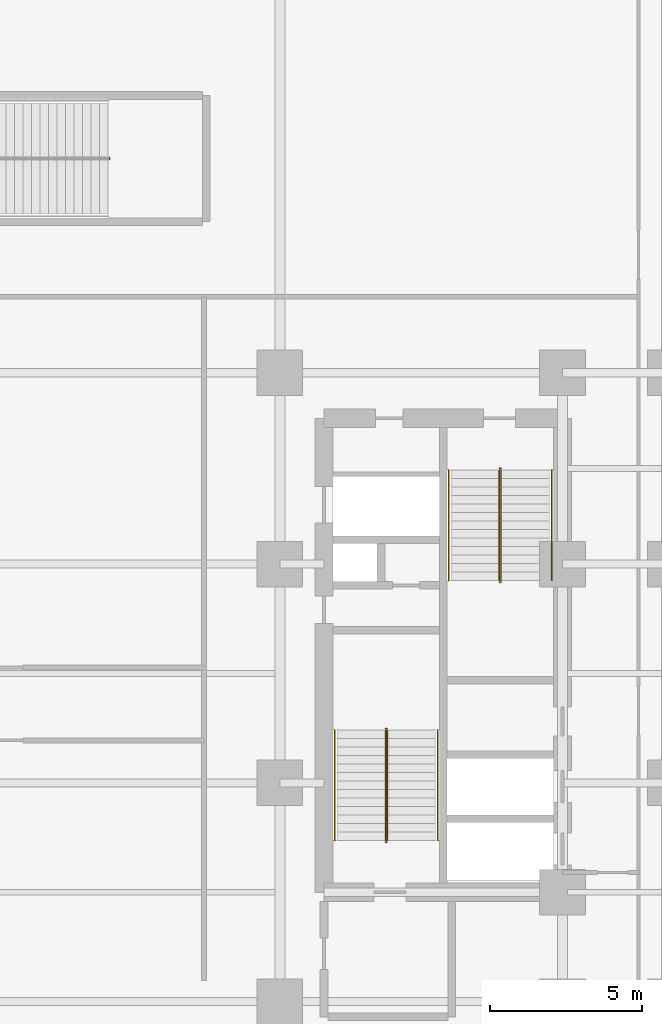
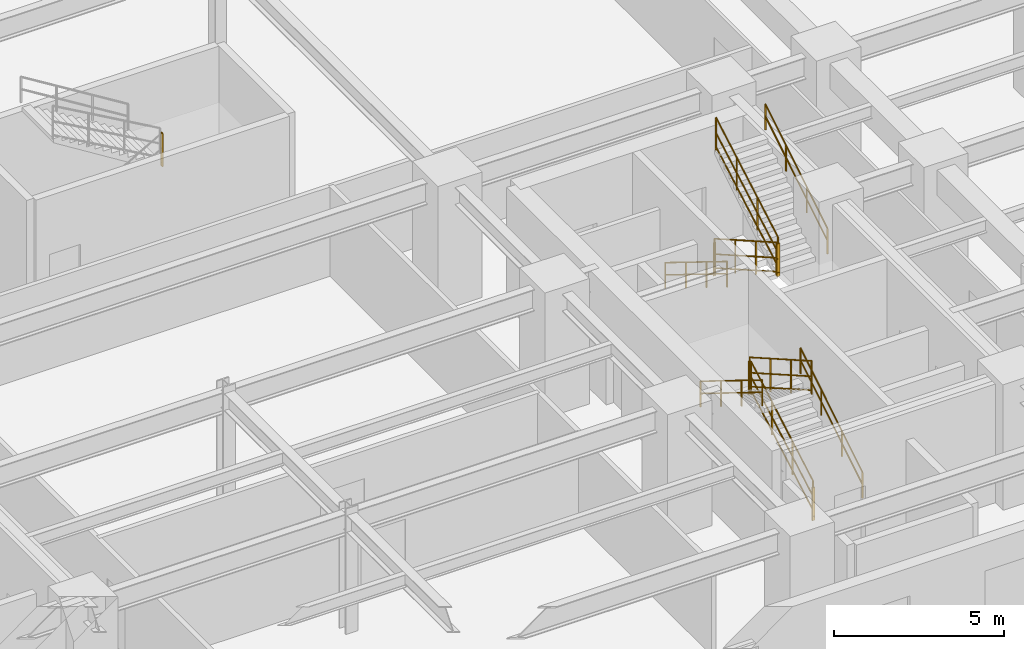
# One storey, part 14 of 15: 13 railings.
"""IFC4 building model written with IfcOpenShell, lengths in metres."""

from ifc_helpers import new_model, entity, si_unit, converted_unit, direction, frame, origin_with_axes, origin_2d_with_axis, place, context, subcontext, project, spatial, rectangle, circle, extrude, material, type_object, element, save


model = new_model("IFC4")

# Units and contexts
model_context = context("Model", 3, precision=1e-05, world=origin_with_axes(), true_north=direction((0.0, 1.0)))
body_context = subcontext(model_context, "Body", "Model", "MODEL_VIEW")
ifc_project = project(units=[si_unit("LENGTHUNIT", "METRE"), si_unit("AREAUNIT", "SQUARE_METRE"), si_unit("VOLUMEUNIT", "CUBIC_METRE"), converted_unit("PLANEANGLEUNIT", "DEGREE", entity("IfcPlaneAngleMeasure", 0.017453292519943295), si_unit("PLANEANGLEUNIT", "RADIAN"), dimensions=[0, 0, 0, 0, 0, 0, 0]), si_unit("MASSUNIT", "GRAM", prefix="KILO"), si_unit("THERMODYNAMICTEMPERATUREUNIT", "KELVIN")], contexts=[model_context])

# Site, building, storey
site_placement = place(None, origin_with_axes())
site = spatial("IfcSite", under=ifc_project, at=site_placement, CompositionType="ELEMENT")
building_placement = place(site_placement, origin_with_axes())
building = spatial("IfcBuilding", under=site, at=building_placement, Name="Varnlund Millrace Tower", CompositionType="ELEMENT")
storey_placement = place(building_placement, frame((0.0, 0.0, 15.3), z_axis=(0.0, 0.0, 1.0), x_axis=(1.0, 0.0, 0.0)))
storey = spatial("IfcBuildingStorey", under=building, at=storey_placement, Name="L03", CompositionType="ELEMENT", Elevation=15.3)

# Railings
ifc_material_1 = material(Name="Painted steel stair well balustrade guard", Category="steel")
railing_type_1 = type_object("IfcRailingType", Name="Type-StairGuard-1150", PredefinedType="GUARDRAIL", material=ifc_material_1)
railing_1_placement = place(storey_placement, frame((0.0, 0.0, -15.3), z_axis=(0.0, 0.0, 1.0), x_axis=(1.0, 0.0, 0.0)))
element("IfcRailing", 1, at=railing_1_placement, inside=storey, type_object=railing_type_1, Name="Type-StairGuard-1150", PredefinedType="GUARDRAIL", context=body_context, shape_type="SweptSolid", body=[
    extrude(circle(Radius=0.024, at=origin_2d_with_axis()), frame((42.275, 8.9, 16.623077), z_axis=(0.0, 0.868559, 0.495585), x_axis=(-1.0, 0.0, 0.0)), (0.0, 0.0, 1.0), 4.190848),
    extrude(circle(Radius=0.024, at=origin_2d_with_axis()), frame((42.275, 8.9, 15.573077), z_axis=(0.0, 0.868559, 0.495585), x_axis=(-1.0, 0.0, 0.0)), (0.0, 0.0, 1.0), 4.190848),
    extrude(circle(Radius=0.024, at=origin_2d_with_axis()), frame((42.275, 8.9, 16.071077), z_axis=(0.0, 0.868559, 0.495585), x_axis=(-1.0, 0.0, 0.0)), (0.0, 0.0, 1.0), 4.190848),
    extrude(rectangle(XDim=0.04, YDim=0.04, at=origin_2d_with_axis()), frame((42.275, 8.9, 15.433077), z_axis=(0.0, 0.0, 1.0), x_axis=(1.0, 0.0, 0.0)), (0.0, 0.0, 1.0), 1.19),
    extrude(rectangle(XDim=0.04, YDim=0.04, at=origin_2d_with_axis()), frame((42.275, 10.113333, 16.125385), z_axis=(0.0, 0.0, 1.0), x_axis=(1.0, 0.0, 0.0)), (0.0, 0.0, 1.0), 1.19),
    extrude(rectangle(XDim=0.04, YDim=0.04, at=origin_2d_with_axis()), frame((42.275, 11.326667, 16.817692), z_axis=(0.0, 0.0, 1.0), x_axis=(1.0, 0.0, 0.0)), (0.0, 0.0, 1.0), 1.19),
    extrude(rectangle(XDim=0.04, YDim=0.04, at=origin_2d_with_axis()), frame((42.275, 12.54, 17.51), z_axis=(0.0, 0.0, 1.0), x_axis=(1.0, 0.0, 0.0)), (0.0, 0.0, 1.0), 1.19),
])
railing_2_placement = place(storey_placement, frame((0.0, 0.0, -15.3), z_axis=(0.0, 0.0, 1.0), x_axis=(1.0, 0.0, 0.0)))
element("IfcRailing", 2, at=railing_2_placement, inside=storey, type_object=railing_type_1, Name="Type-StairGuard-1150", PredefinedType="GUARDRAIL", context=body_context, shape_type="SweptSolid", body=[
    extrude(circle(Radius=0.024, at=origin_2d_with_axis()), frame((42.225, 12.59, 18.7), z_axis=(1.0, 0.0, 0.0), x_axis=(0.0, 1.0, 0.0)), (0.0, 0.0, 1.0), 0.05),
    extrude(circle(Radius=0.024, at=origin_2d_with_axis()), frame((42.225, 12.59, 17.65), z_axis=(1.0, 0.0, 0.0), x_axis=(0.0, 1.0, 0.0)), (0.0, 0.0, 1.0), 0.05),
    extrude(circle(Radius=0.024, at=origin_2d_with_axis()), frame((42.225, 12.59, 18.148), z_axis=(1.0, 0.0, 0.0), x_axis=(0.0, 1.0, 0.0)), (0.0, 0.0, 1.0), 0.05),
    extrude(rectangle(XDim=0.04, YDim=0.04, at=origin_2d_with_axis()), frame((42.225, 12.59, 17.51), z_axis=(0.0, 0.0, 1.0), x_axis=(1.0, 0.0, 0.0)), (0.0, 0.0, 1.0), 1.19),
    extrude(rectangle(XDim=0.04, YDim=0.04, at=origin_2d_with_axis()), frame((42.275, 12.59, 17.51), z_axis=(0.0, 0.0, 1.0), x_axis=(1.0, 0.0, 0.0)), (0.0, 0.0, 1.0), 1.19),
])
railing_3_placement = place(storey_placement, frame((0.0, 0.0, -15.3), z_axis=(0.0, 0.0, 1.0), x_axis=(1.0, 0.0, 0.0)))
element("IfcRailing", 3, at=railing_3_placement, inside=storey, type_object=railing_type_1, Name="Type-StairGuard-1150", PredefinedType="GUARDRAIL", context=body_context, shape_type="SweptSolid", body=[
    extrude(circle(Radius=0.024, at=origin_2d_with_axis()), frame((42.225, 12.54, 18.873077), z_axis=(0.0, -0.868559, 0.495585), x_axis=(1.0, 0.0, 0.0)), (0.0, 0.0, 1.0), 4.190848),
    extrude(circle(Radius=0.024, at=origin_2d_with_axis()), frame((42.225, 12.54, 17.823077), z_axis=(0.0, -0.868559, 0.495585), x_axis=(1.0, 0.0, 0.0)), (0.0, 0.0, 1.0), 4.190848),
    extrude(circle(Radius=0.024, at=origin_2d_with_axis()), frame((42.225, 12.54, 18.321077), z_axis=(0.0, -0.868559, 0.495585), x_axis=(1.0, 0.0, 0.0)), (0.0, 0.0, 1.0), 4.190848),
    extrude(rectangle(XDim=0.04, YDim=0.04, at=origin_2d_with_axis()), frame((42.225, 12.54, 17.683077), z_axis=(0.0, 0.0, 1.0), x_axis=(1.0, 0.0, 0.0)), (0.0, 0.0, 1.0), 1.19),
    extrude(rectangle(XDim=0.04, YDim=0.04, at=origin_2d_with_axis()), frame((42.225, 11.326667, 18.375385), z_axis=(0.0, 0.0, 1.0), x_axis=(1.0, 0.0, 0.0)), (0.0, 0.0, 1.0), 1.19),
    extrude(rectangle(XDim=0.04, YDim=0.04, at=origin_2d_with_axis()), frame((42.225, 10.113333, 19.067692), z_axis=(0.0, 0.0, 1.0), x_axis=(1.0, 0.0, 0.0)), (0.0, 0.0, 1.0), 1.19),
    extrude(rectangle(XDim=0.04, YDim=0.04, at=origin_2d_with_axis()), frame((42.225, 8.9, 19.76), z_axis=(0.0, 0.0, 1.0), x_axis=(1.0, 0.0, 0.0)), (0.0, 0.0, 1.0), 1.19),
])
railing_4_placement = place(storey_placement, frame((0.0, 0.0, -15.3), z_axis=(0.0, 0.0, 1.0), x_axis=(1.0, 0.0, 0.0)))
element("IfcRailing", 4, at=railing_4_placement, inside=storey, type_object=railing_type_1, Name="Type-StairGuard-1150", PredefinedType="GUARDRAIL", context=body_context, shape_type="SweptSolid", body=[
    extrude(circle(Radius=0.024, at=origin_2d_with_axis()), frame((42.225, 8.85, 16.45), z_axis=(1.0, 0.0, 0.0), x_axis=(0.0, 1.0, 0.0)), (0.0, 0.0, 1.0), 0.05),
    extrude(circle(Radius=0.024, at=origin_2d_with_axis()), frame((42.225, 8.85, 15.4), z_axis=(1.0, 0.0, 0.0), x_axis=(0.0, 1.0, 0.0)), (0.0, 0.0, 1.0), 0.05),
    extrude(circle(Radius=0.024, at=origin_2d_with_axis()), frame((42.225, 8.85, 15.898), z_axis=(1.0, 0.0, 0.0), x_axis=(0.0, 1.0, 0.0)), (0.0, 0.0, 1.0), 0.05),
    extrude(rectangle(XDim=0.04, YDim=0.04, at=origin_2d_with_axis()), frame((42.225, 8.85, 15.26), z_axis=(0.0, 0.0, 1.0), x_axis=(1.0, 0.0, 0.0)), (0.0, 0.0, 1.0), 1.19),
    extrude(rectangle(XDim=0.04, YDim=0.04, at=origin_2d_with_axis()), frame((42.275, 8.85, 15.26), z_axis=(0.0, 0.0, 1.0), x_axis=(1.0, 0.0, 0.0)), (0.0, 0.0, 1.0), 1.19),
])
railing_5_placement = place(storey_placement, frame((0.0, 0.0, -15.3), z_axis=(0.0, 0.0, 1.0), x_axis=(1.0, 0.0, 0.0)))
element("IfcRailing", 5, at=railing_5_placement, inside=storey, type_object=railing_type_1, Name="Type-StairGuard-1150", PredefinedType="GUARDRAIL", context=body_context, shape_type="SweptSolid", body=[
    extrude(circle(Radius=0.024, at=origin_2d_with_axis()), frame((45.975, 21.1, 16.623077), z_axis=(0.0, -0.868559, 0.495585), x_axis=(1.0, 0.0, 0.0)), (0.0, 0.0, 1.0), 4.190848),
    extrude(circle(Radius=0.024, at=origin_2d_with_axis()), frame((45.975, 21.1, 15.573077), z_axis=(0.0, -0.868559, 0.495585), x_axis=(1.0, 0.0, 0.0)), (0.0, 0.0, 1.0), 4.190848),
    extrude(circle(Radius=0.024, at=origin_2d_with_axis()), frame((45.975, 21.1, 16.071077), z_axis=(0.0, -0.868559, 0.495585), x_axis=(1.0, 0.0, 0.0)), (0.0, 0.0, 1.0), 4.190848),
    extrude(rectangle(XDim=0.04, YDim=0.04, at=origin_2d_with_axis()), frame((45.975, 21.1, 15.433077), z_axis=(0.0, 0.0, 1.0), x_axis=(1.0, 0.0, 0.0)), (0.0, 0.0, 1.0), 1.19),
    extrude(rectangle(XDim=0.04, YDim=0.04, at=origin_2d_with_axis()), frame((45.975, 19.886667, 16.125385), z_axis=(0.0, 0.0, 1.0), x_axis=(1.0, 0.0, 0.0)), (0.0, 0.0, 1.0), 1.19),
    extrude(rectangle(XDim=0.04, YDim=0.04, at=origin_2d_with_axis()), frame((45.975, 18.673333, 16.817692), z_axis=(0.0, 0.0, 1.0), x_axis=(1.0, 0.0, 0.0)), (0.0, 0.0, 1.0), 1.19),
    extrude(rectangle(XDim=0.04, YDim=0.04, at=origin_2d_with_axis()), frame((45.975, 17.46, 17.51), z_axis=(0.0, 0.0, 1.0), x_axis=(1.0, 0.0, 0.0)), (0.0, 0.0, 1.0), 1.19),
])
railing_6_placement = place(storey_placement, frame((0.0, 0.0, -15.3), z_axis=(0.0, 0.0, 1.0), x_axis=(1.0, 0.0, 0.0)))
element("IfcRailing", 6, at=railing_6_placement, inside=storey, type_object=railing_type_1, Name="Type-StairGuard-1150", PredefinedType="GUARDRAIL", context=body_context, shape_type="SweptSolid", body=[
    extrude(circle(Radius=0.024, at=origin_2d_with_axis()), frame((46.025, 17.41, 18.7), z_axis=(-1.0, 0.0, 0.0), x_axis=(0.0, -1.0, 0.0)), (0.0, 0.0, 1.0), 0.05),
    extrude(circle(Radius=0.024, at=origin_2d_with_axis()), frame((46.025, 17.41, 17.65), z_axis=(-1.0, 0.0, 0.0), x_axis=(0.0, -1.0, 0.0)), (0.0, 0.0, 1.0), 0.05),
    extrude(circle(Radius=0.024, at=origin_2d_with_axis()), frame((46.025, 17.41, 18.148), z_axis=(-1.0, 0.0, 0.0), x_axis=(0.0, -1.0, 0.0)), (0.0, 0.0, 1.0), 0.05),
    extrude(rectangle(XDim=0.04, YDim=0.04, at=origin_2d_with_axis()), frame((46.025, 17.41, 17.51), z_axis=(0.0, 0.0, 1.0), x_axis=(1.0, 0.0, 0.0)), (0.0, 0.0, 1.0), 1.19),
    extrude(rectangle(XDim=0.04, YDim=0.04, at=origin_2d_with_axis()), frame((45.975, 17.41, 17.51), z_axis=(0.0, 0.0, 1.0), x_axis=(1.0, 0.0, 0.0)), (0.0, 0.0, 1.0), 1.19),
])
railing_7_placement = place(storey_placement, frame((0.0, 0.0, -15.3), z_axis=(0.0, 0.0, 1.0), x_axis=(1.0, 0.0, 0.0)))
element("IfcRailing", 7, at=railing_7_placement, inside=storey, type_object=railing_type_1, Name="Type-StairGuard-1150", PredefinedType="GUARDRAIL", context=body_context, shape_type="SweptSolid", body=[
    extrude(circle(Radius=0.024, at=origin_2d_with_axis()), frame((46.025, 17.46, 18.873077), z_axis=(0.0, 0.868559, 0.495585), x_axis=(-1.0, 0.0, 0.0)), (0.0, 0.0, 1.0), 4.190848),
    extrude(circle(Radius=0.024, at=origin_2d_with_axis()), frame((46.025, 17.46, 17.823077), z_axis=(0.0, 0.868559, 0.495585), x_axis=(-1.0, 0.0, 0.0)), (0.0, 0.0, 1.0), 4.190848),
    extrude(circle(Radius=0.024, at=origin_2d_with_axis()), frame((46.025, 17.46, 18.321077), z_axis=(0.0, 0.868559, 0.495585), x_axis=(-1.0, 0.0, 0.0)), (0.0, 0.0, 1.0), 4.190848),
    extrude(rectangle(XDim=0.04, YDim=0.04, at=origin_2d_with_axis()), frame((46.025, 17.46, 17.683077), z_axis=(0.0, 0.0, 1.0), x_axis=(1.0, 0.0, 0.0)), (0.0, 0.0, 1.0), 1.19),
    extrude(rectangle(XDim=0.04, YDim=0.04, at=origin_2d_with_axis()), frame((46.025, 18.673333, 18.375385), z_axis=(0.0, 0.0, 1.0), x_axis=(1.0, 0.0, 0.0)), (0.0, 0.0, 1.0), 1.19),
    extrude(rectangle(XDim=0.04, YDim=0.04, at=origin_2d_with_axis()), frame((46.025, 19.886667, 19.067692), z_axis=(0.0, 0.0, 1.0), x_axis=(1.0, 0.0, 0.0)), (0.0, 0.0, 1.0), 1.19),
    extrude(rectangle(XDim=0.04, YDim=0.04, at=origin_2d_with_axis()), frame((46.025, 21.1, 19.76), z_axis=(0.0, 0.0, 1.0), x_axis=(1.0, 0.0, 0.0)), (0.0, 0.0, 1.0), 1.19),
])
railing_8_placement = place(storey_placement, frame((0.0, 0.0, -15.3), z_axis=(0.0, 0.0, 1.0), x_axis=(1.0, 0.0, 0.0)))
element("IfcRailing", 8, at=railing_8_placement, inside=storey, type_object=railing_type_1, Name="Type-StairGuard-1150", PredefinedType="GUARDRAIL", context=body_context, shape_type="SweptSolid", body=[
    extrude(circle(Radius=0.024, at=origin_2d_with_axis()), frame((46.025, 21.15, 16.45), z_axis=(-1.0, 0.0, 0.0), x_axis=(0.0, -1.0, 0.0)), (0.0, 0.0, 1.0), 0.05),
    extrude(circle(Radius=0.024, at=origin_2d_with_axis()), frame((46.025, 21.15, 15.4), z_axis=(-1.0, 0.0, 0.0), x_axis=(0.0, -1.0, 0.0)), (0.0, 0.0, 1.0), 0.05),
    extrude(circle(Radius=0.024, at=origin_2d_with_axis()), frame((46.025, 21.15, 15.898), z_axis=(-1.0, 0.0, 0.0), x_axis=(0.0, -1.0, 0.0)), (0.0, 0.0, 1.0), 0.05),
    extrude(rectangle(XDim=0.04, YDim=0.04, at=origin_2d_with_axis()), frame((46.025, 21.15, 15.26), z_axis=(0.0, 0.0, 1.0), x_axis=(1.0, 0.0, 0.0)), (0.0, 0.0, 1.0), 1.19),
    extrude(rectangle(XDim=0.04, YDim=0.04, at=origin_2d_with_axis()), frame((45.975, 21.15, 15.26), z_axis=(0.0, 0.0, 1.0), x_axis=(1.0, 0.0, 0.0)), (0.0, 0.0, 1.0), 1.19),
])
railing_9_placement = place(storey_placement, frame((0.0, 0.0, -15.3), z_axis=(0.0, 0.0, 1.0), x_axis=(1.0, 0.0, 0.0)))
element("IfcRailing", 9, at=railing_9_placement, inside=storey, type_object=railing_type_1, Name="Type-StairGuard-1150", PredefinedType="GUARDRAIL", context=body_context, shape_type="SweptSolid", body=[
    extrude(circle(Radius=0.024, at=origin_2d_with_axis()), frame((33.14, 31.375, 18.7), z_axis=(0.0, -1.0, 0.0), x_axis=(1.0, 0.0, 0.0)), (0.0, 0.0, 1.0), 0.05),
    extrude(circle(Radius=0.024, at=origin_2d_with_axis()), frame((33.14, 31.375, 17.65), z_axis=(0.0, -1.0, 0.0), x_axis=(1.0, 0.0, 0.0)), (0.0, 0.0, 1.0), 0.05),
    extrude(circle(Radius=0.024, at=origin_2d_with_axis()), frame((33.14, 31.375, 18.148), z_axis=(0.0, -1.0, 0.0), x_axis=(1.0, 0.0, 0.0)), (0.0, 0.0, 1.0), 0.05),
    extrude(rectangle(XDim=0.04, YDim=0.04, at=origin_2d_with_axis()), frame((33.14, 31.375, 17.51), z_axis=(0.0, 0.0, 1.0), x_axis=(1.0, 0.0, 0.0)), (0.0, 0.0, 1.0), 1.19),
    extrude(rectangle(XDim=0.04, YDim=0.04, at=origin_2d_with_axis()), frame((33.14, 31.325, 17.51), z_axis=(0.0, 0.0, 1.0), x_axis=(1.0, 0.0, 0.0)), (0.0, 0.0, 1.0), 1.19),
])
ifc_material_2 = material(Name="Brushed architectural bronze stair handrail", Category="aluminium")
railing_type_2 = type_object("IfcRailingType", Name="Type-StairHandrail-900", PredefinedType="HANDRAIL", material=ifc_material_2)
railing_10_placement = place(storey_placement, frame((0.0, 0.0, -15.3), z_axis=(0.0, 0.0, 1.0), x_axis=(1.0, 0.0, 0.0)))
element("IfcRailing", 10, at=railing_10_placement, inside=storey, type_object=railing_type_2, Name="Type-StairHandrail-900", PredefinedType="HANDRAIL", context=body_context, shape_type="SweptSolid", body=[
    extrude(circle(Radius=0.024, at=origin_2d_with_axis()), frame((43.95, 8.9, 16.352662), z_axis=(0.0, 0.850614, 0.525791), x_axis=(-1.0, 0.0, 0.0)), (0.0, 0.0, 1.0), 4.279264),
    extrude(circle(Radius=0.024, at=origin_2d_with_axis()), frame((43.95, 8.9, 15.91287), z_axis=(0.0, 0.850614, 0.525791), x_axis=(-1.0, 0.0, 0.0)), (0.0, 0.0, 1.0), 4.279264),
    extrude(rectangle(XDim=0.04, YDim=0.04, at=origin_2d_with_axis()), frame((43.95, 8.9, 15.433077), z_axis=(0.0, 0.0, 1.0), x_axis=(1.0, 0.0, 0.0)), (0.0, 0.0, 1.0), 0.919585),
    extrude(rectangle(XDim=0.04, YDim=0.04, at=origin_2d_with_axis()), frame((43.95, 10.113333, 16.183077), z_axis=(0.0, 0.0, 1.0), x_axis=(1.0, 0.0, 0.0)), (0.0, 0.0, 1.0), 0.919585),
    extrude(rectangle(XDim=0.04, YDim=0.04, at=origin_2d_with_axis()), frame((43.95, 11.326667, 16.933077), z_axis=(0.0, 0.0, 1.0), x_axis=(1.0, 0.0, 0.0)), (0.0, 0.0, 1.0), 0.919585),
    extrude(rectangle(XDim=0.04, YDim=0.04, at=origin_2d_with_axis()), frame((43.95, 12.54, 17.683077), z_axis=(0.0, 0.0, 1.0), x_axis=(1.0, 0.0, 0.0)), (0.0, 0.0, 1.0), 0.919585),
])
railing_11_placement = place(storey_placement, frame((0.0, 0.0, -15.3), z_axis=(0.0, 0.0, 1.0), x_axis=(1.0, 0.0, 0.0)))
element("IfcRailing", 11, at=railing_11_placement, inside=storey, type_object=railing_type_2, Name="Type-StairHandrail-900", PredefinedType="HANDRAIL", context=body_context, shape_type="SweptSolid", body=[
    extrude(circle(Radius=0.024, at=origin_2d_with_axis()), frame((40.55, 12.54, 18.602662), z_axis=(0.0, -0.850614, 0.525791), x_axis=(1.0, 0.0, 0.0)), (0.0, 0.0, 1.0), 4.279264),
    extrude(circle(Radius=0.024, at=origin_2d_with_axis()), frame((40.55, 12.54, 18.16287), z_axis=(0.0, -0.850614, 0.525791), x_axis=(1.0, 0.0, 0.0)), (0.0, 0.0, 1.0), 4.279264),
    extrude(rectangle(XDim=0.04, YDim=0.04, at=origin_2d_with_axis()), frame((40.55, 12.54, 17.683077), z_axis=(0.0, 0.0, 1.0), x_axis=(1.0, 0.0, 0.0)), (0.0, 0.0, 1.0), 0.919585),
    extrude(rectangle(XDim=0.04, YDim=0.04, at=origin_2d_with_axis()), frame((40.55, 11.326667, 18.433077), z_axis=(0.0, 0.0, 1.0), x_axis=(1.0, 0.0, 0.0)), (0.0, 0.0, 1.0), 0.919585),
    extrude(rectangle(XDim=0.04, YDim=0.04, at=origin_2d_with_axis()), frame((40.55, 10.113333, 19.183077), z_axis=(0.0, 0.0, 1.0), x_axis=(1.0, 0.0, 0.0)), (0.0, 0.0, 1.0), 0.919585),
    extrude(rectangle(XDim=0.04, YDim=0.04, at=origin_2d_with_axis()), frame((40.55, 8.9, 19.933077), z_axis=(0.0, 0.0, 1.0), x_axis=(1.0, 0.0, 0.0)), (0.0, 0.0, 1.0), 0.919585),
])
railing_12_placement = place(storey_placement, frame((0.0, 0.0, -15.3), z_axis=(0.0, 0.0, 1.0), x_axis=(1.0, 0.0, 0.0)))
element("IfcRailing", 12, at=railing_12_placement, inside=storey, type_object=railing_type_2, Name="Type-StairHandrail-900", PredefinedType="HANDRAIL", context=body_context, shape_type="SweptSolid", body=[
    extrude(circle(Radius=0.024, at=origin_2d_with_axis()), frame((44.3, 21.1, 16.352662), z_axis=(0.0, -0.850614, 0.525791), x_axis=(1.0, 0.0, 0.0)), (0.0, 0.0, 1.0), 4.279264),
    extrude(circle(Radius=0.024, at=origin_2d_with_axis()), frame((44.3, 21.1, 15.91287), z_axis=(0.0, -0.850614, 0.525791), x_axis=(1.0, 0.0, 0.0)), (0.0, 0.0, 1.0), 4.279264),
    extrude(rectangle(XDim=0.04, YDim=0.04, at=origin_2d_with_axis()), frame((44.3, 21.1, 15.433077), z_axis=(0.0, 0.0, 1.0), x_axis=(1.0, 0.0, 0.0)), (0.0, 0.0, 1.0), 0.919585),
    extrude(rectangle(XDim=0.04, YDim=0.04, at=origin_2d_with_axis()), frame((44.3, 19.886667, 16.183077), z_axis=(0.0, 0.0, 1.0), x_axis=(1.0, 0.0, 0.0)), (0.0, 0.0, 1.0), 0.919585),
    extrude(rectangle(XDim=0.04, YDim=0.04, at=origin_2d_with_axis()), frame((44.3, 18.673333, 16.933077), z_axis=(0.0, 0.0, 1.0), x_axis=(1.0, 0.0, 0.0)), (0.0, 0.0, 1.0), 0.919585),
    extrude(rectangle(XDim=0.04, YDim=0.04, at=origin_2d_with_axis()), frame((44.3, 17.46, 17.683077), z_axis=(0.0, 0.0, 1.0), x_axis=(1.0, 0.0, 0.0)), (0.0, 0.0, 1.0), 0.919585),
])
railing_13_placement = place(storey_placement, frame((0.0, 0.0, -15.3), z_axis=(0.0, 0.0, 1.0), x_axis=(1.0, 0.0, 0.0)))
element("IfcRailing", 13, at=railing_13_placement, inside=storey, type_object=railing_type_2, Name="Type-StairHandrail-900", PredefinedType="HANDRAIL", context=body_context, shape_type="SweptSolid", body=[
    extrude(circle(Radius=0.024, at=origin_2d_with_axis()), frame((47.7, 17.46, 18.602662), z_axis=(0.0, 0.850614, 0.525791), x_axis=(-1.0, 0.0, 0.0)), (0.0, 0.0, 1.0), 4.279264),
    extrude(circle(Radius=0.024, at=origin_2d_with_axis()), frame((47.7, 17.46, 18.16287), z_axis=(0.0, 0.850614, 0.525791), x_axis=(-1.0, 0.0, 0.0)), (0.0, 0.0, 1.0), 4.279264),
    extrude(rectangle(XDim=0.04, YDim=0.04, at=origin_2d_with_axis()), frame((47.7, 17.46, 17.683077), z_axis=(0.0, 0.0, 1.0), x_axis=(1.0, 0.0, 0.0)), (0.0, 0.0, 1.0), 0.919585),
    extrude(rectangle(XDim=0.04, YDim=0.04, at=origin_2d_with_axis()), frame((47.7, 18.673333, 18.433077), z_axis=(0.0, 0.0, 1.0), x_axis=(1.0, 0.0, 0.0)), (0.0, 0.0, 1.0), 0.919585),
    extrude(rectangle(XDim=0.04, YDim=0.04, at=origin_2d_with_axis()), frame((47.7, 19.886667, 19.183077), z_axis=(0.0, 0.0, 1.0), x_axis=(1.0, 0.0, 0.0)), (0.0, 0.0, 1.0), 0.919585),
    extrude(rectangle(XDim=0.04, YDim=0.04, at=origin_2d_with_axis()), frame((47.7, 21.1, 19.933077), z_axis=(0.0, 0.0, 1.0), x_axis=(1.0, 0.0, 0.0)), (0.0, 0.0, 1.0), 0.919585),
])

save(model, "model.ifc")
